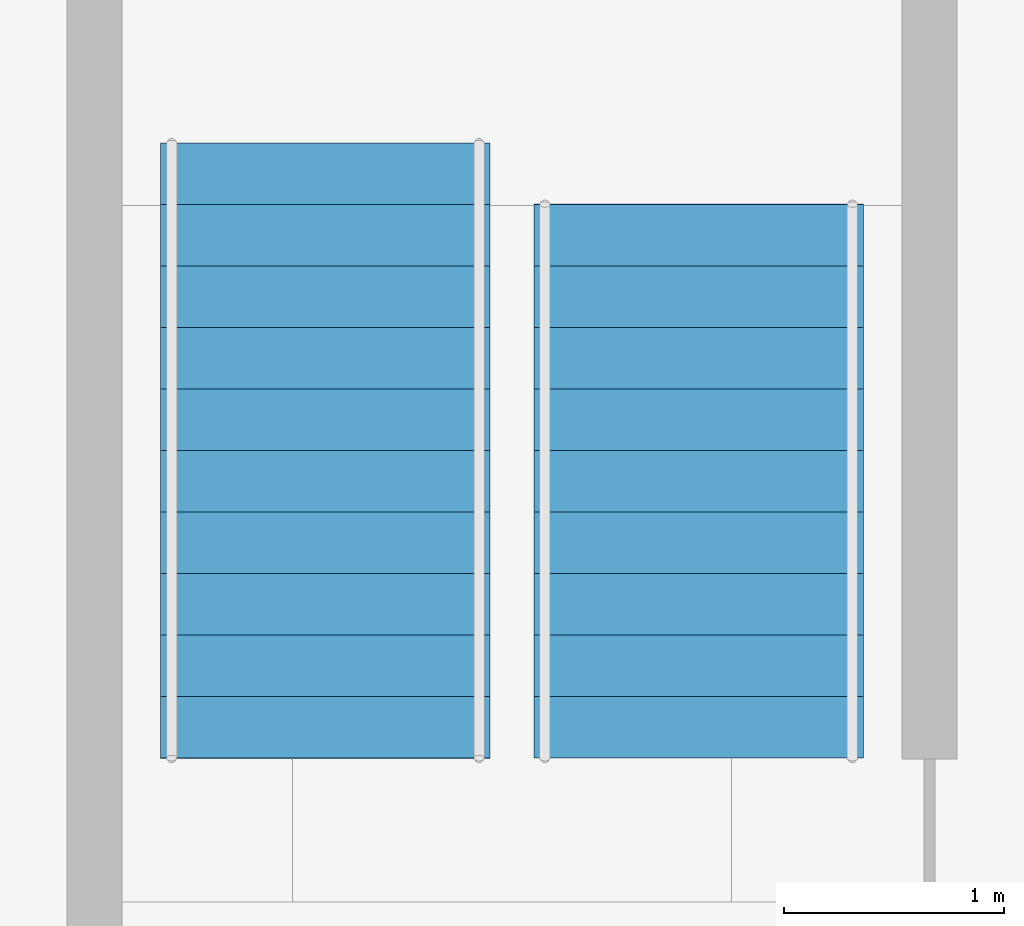
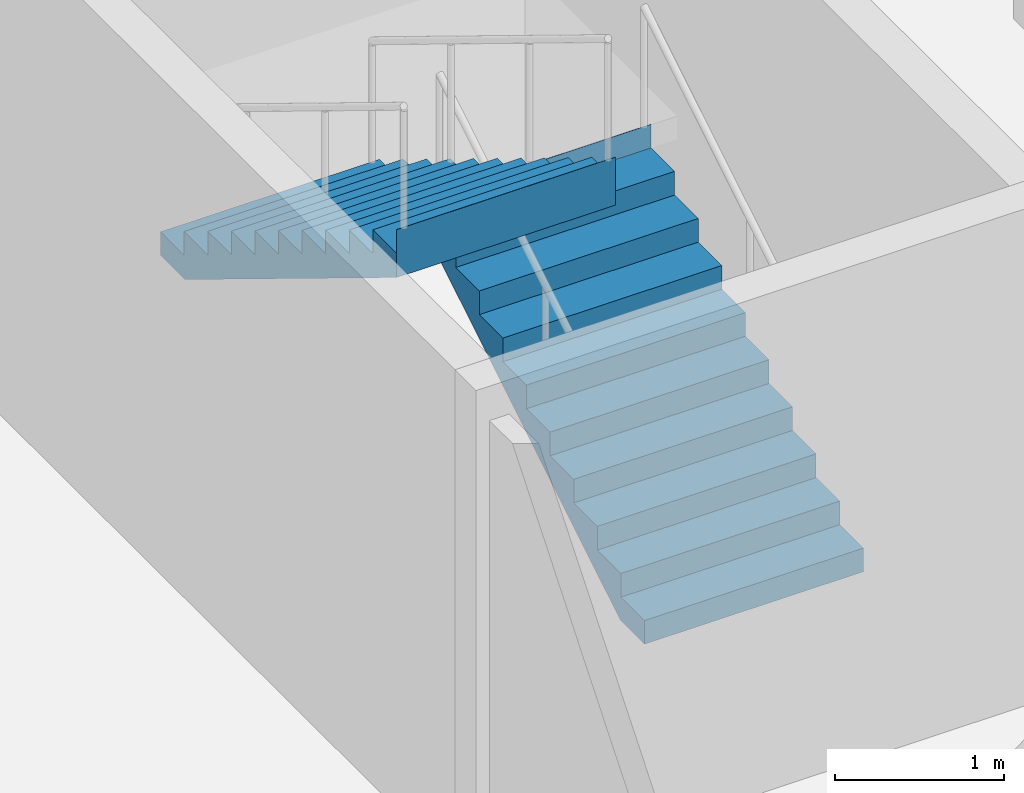
# One storey, part 107 of 148: 2 stair flights, 1 element without a shape of its own.
"""IFC4 building model written with IfcOpenShell, lengths in metres."""

from ifc_helpers import new_model, si_unit, direction, frame, origin, place, context, subcontext, project, spatial, polyline, outline, extrude, material, type_object, element, aggregate, save


model = new_model("IFC4")

# Units and contexts
model_context = context("Model", 3, precision=1e-05, world=origin(), true_north=direction((0.0, 1.0)))
body_context = subcontext(model_context, "Body", "Model", "MODEL_VIEW")
ifc_project = project(units=[si_unit("LENGTHUNIT", "METRE"), si_unit("AREAUNIT", "SQUARE_METRE"), si_unit("VOLUMEUNIT", "CUBIC_METRE"), si_unit("PLANEANGLEUNIT", "RADIAN"), si_unit("MASSUNIT", "GRAM", prefix="KILO")], contexts=[model_context])

# Site, building, storey
site_placement = place(None, origin())
site = spatial("IfcSite", under=ifc_project, at=site_placement, CompositionType="ELEMENT")
building_placement = place(site_placement, origin())
building = spatial("IfcBuilding", under=site, at=building_placement, Name="Kupolbacken Congress Centre", CompositionType="ELEMENT")
storey_placement = place(building_placement, origin())
storey = spatial("IfcBuildingStorey", under=building, at=storey_placement, Name="L00", CompositionType="ELEMENT", Elevation=0.0)

# Stair, stair flights
ifc_material_1 = material(Name="Steel S355", Category="steel")
stair_type = type_object("IfcStairType", Name="ST2 stair 1500", PredefinedType="TWO_STRAIGHT_RUN_STAIR", material=ifc_material_1)
stair_placement = place(storey_placement, origin())
stair = element("IfcStair", 1, at=stair_placement, inside=storey, type_object=stair_type, Name="C/stair/BS3/L00", PredefinedType="NOTDEFINED")
ifc_material_2 = material(Name="Steel S355", Category="steel")
stair_flight_type_1 = type_object("IfcStairFlightType", Name="FL3 stair flight 1500 x 10 risers", PredefinedType="STRAIGHT", material=ifc_material_2)
stair_flight_1_placement = place(storey_placement, frame((194.75, 126.955078125, 0.0), z_axis=(0.0, 0.0, 1.0), x_axis=(0.0, 1.0, 0.0)))
stair_flight_1 = element("IfcStairFlight", 2, at=stair_flight_1_placement, type_object=stair_flight_type_1, Name="BS3 flight 1", NumberOfRisers=10, NumberOfTreads=9, PredefinedType="STRAIGHT", RiserHeight=0.171428571, TreadLength=0.28, context=body_context, shape_type="SweptSolid", body=[
    extrude(outline(polyline([(0.0, 0.0), (0.0, 0.0009765625), (0.0, 0.002197265625), (0.0, 0.003173828125), (0.0, 0.004150390625), (0.0, 0.00537109375), (0.0, 0.00634765625), (0.0, 0.007568359375), (0.0, 0.008544921875), (0.0, 0.009521484375), (0.0, 0.0107421875), (0.0, 0.01171875), (0.0, 0.0126953125), (0.0, 0.013916015625), (0.0, 0.014892578125), (0.0, 0.015869140625), (0.0, 0.01708984375), (0.0, 0.01806640625), (0.0, 0.019287109375), (0.0, 0.020263671875), (0.0, 0.021240234375), (0.0, 0.0224609375), (0.0, 0.0234375), (0.0, 0.0244140625), (0.0, 0.025634765625), (0.0, 0.026611328125), (0.0, 0.027587890625), (0.0, 0.02880859375), (0.0, 0.02978515625), (0.0, 0.03076171875), (0.0, 0.031982421875), (0.0, 0.032958984375), (0.0, 0.0341796875), (0.0, 0.03515625), (0.0, 0.0361328125), (0.0, 0.037353515625), (0.0, 0.038330078125), (0.0, 0.039306640625), (0.0, 0.04052734375), (0.0, 0.04150390625), (0.0, 0.04248046875), (0.0, 0.043701171875), (0.0, 0.044677734375), (0.0, 0.0458984375), (0.0, 0.046875), (0.0, 0.0478515625), (0.0, 0.049072265625), (0.0, 0.050048828125), (0.0, 0.051025390625), (0.0, 0.05224609375), (0.0, 0.05322265625), (0.0, 0.05419921875), (0.0, 0.055419921875), (0.0, 0.056396484375), (0.0, 0.0576171875), (0.0, 0.05859375), (0.0, 0.0595703125), (0.0, 0.060791015625), (0.0, 0.061767578125), (0.0, 0.062744140625), (0.0, 0.06396484375), (0.0, 0.06494140625), (0.0, 0.06591796875), (0.0, 0.067138671875), (0.0, 0.068115234375), (0.0, 0.069091796875), (0.0, 0.0703125), (0.0, 0.0712890625), (0.0, 0.072509765625), (0.0, 0.073486328125), (0.0, 0.074462890625), (0.0, 0.07568359375), (0.0, 0.07666015625), (0.0, 0.07763671875), (0.0, 0.078857421875), (0.0, 0.079833984375), (0.0, 0.080810546875), (0.0, 0.08203125), (0.0, 0.0830078125), (0.0, 0.084228515625), (0.0, 0.085205078125), (0.0, 0.086181640625), (0.0, 0.08740234375), (0.0, 0.08837890625), (0.0, 0.08935546875), (0.0, 0.090576171875), (0.0, 0.091552734375), (0.0, 0.092529296875), (0.0, 0.09375), (0.0, 0.0947265625), (0.0, 0.095947265625), (0.0, 0.096923828125), (0.0, 0.097900390625), (0.0, 0.09912109375), (0.0, 0.10009765625), (0.0, 0.10107421875), (0.0, 0.102294921875), (0.0, 0.103271484375), (0.0, 0.104248046875), (0.0, 0.10546875), (0.0, 0.1064453125), (0.0, 0.107421875), (0.0, 0.108642578125), (0.0, 0.109619140625), (0.0, 0.11083984375), (0.0, 0.11181640625), (0.0, 0.11279296875), (0.0, 0.114013671875), (0.0, 0.114990234375), (0.0, 0.115966796875), (0.0, 0.1171875), (0.0, 0.1181640625), (0.0, 0.119140625), (0.0, 0.120361328125), (0.0, 0.121337890625), (0.0, 0.12255859375), (0.0, 0.12353515625), (0.0, 0.12451171875), (0.0, 0.125732421875), (0.0, 0.126708984375), (0.0, 0.127685546875), (0.0, 0.12890625), (0.0, 0.1298828125), (0.0, 0.130859375), (0.0, 0.132080078125), (0.0, 0.133056640625), (0.0, 0.13427734375), (0.0, 0.13525390625), (0.0, 0.13623046875), (0.0, 0.137451171875), (0.0, 0.138427734375), (0.0, 0.139404296875), (0.0, 0.140625), (0.0, 0.1416015625), (0.0, 0.142578125), (0.0, 0.143798828125), (0.0, 0.144775390625), (0.0, 0.145751953125), (0.0, 0.14697265625), (0.0, 0.14794921875), (0.0, 0.149169921875), (0.0, 0.150146484375), (0.0, 0.151123046875), (0.0, 0.15234375), (0.0, 0.1533203125), (0.0, 0.154296875), (0.0, 0.155517578125), (0.0, 0.156494140625), (0.0, 0.157470703125), (0.0, 0.15869140625), (0.0, 0.15966796875), (0.0, 0.160888671875), (0.0, 0.161865234375), (0.0, 0.162841796875), (0.0, 0.1640625), (0.0, 0.1650390625), (0.0, 0.166015625), (0.0, 0.167236328125), (0.0, 0.168212890625), (0.0, 0.169189453125), (0.0, 0.17041015625), (0.0, 0.17138671875), (0.280029296875, 0.17138671875), (0.280029296875, 0.3427734375), (0.56005859375, 0.3427734375), (0.56005859375, 0.514404296875), (0.840087890625, 0.514404296875), (0.840087890625, 0.685791015625), (1.1201171875, 0.685791015625), (1.1201171875, 0.857177734375), (1.39990234375, 0.857177734375), (1.39990234375, 1.028564453125), (1.679931640625, 1.028564453125), (1.679931640625, 1.199951171875), (1.9599609375, 1.199951171875), (1.9599609375, 1.371337890625), (2.239990234375, 1.371337890625), (2.239990234375, 1.54296875), (2.52001953125, 1.54296875), (2.52001953125, 1.71435546875), (2.52197265625, 1.71435546875), (2.52197265625, 1.712158203125), (2.52197265625, 1.7099609375), (2.52197265625, 1.707763671875), (2.52197265625, 1.70556640625), (2.52197265625, 1.70361328125), (2.52197265625, 1.701416015625), (2.52197265625, 1.69921875), (2.52197265625, 1.697021484375), (2.52197265625, 1.69482421875), (2.52197265625, 1.692626953125), (2.52197265625, 1.690673828125), (2.52197265625, 1.6884765625), (2.52197265625, 1.686279296875), (2.52197265625, 1.68408203125), (2.52197265625, 1.681884765625), (2.52197265625, 1.6796875), (2.52197265625, 1.677734375), (2.52197265625, 1.675537109375), (2.52197265625, 1.67333984375), (2.52197265625, 1.671142578125), (2.52197265625, 1.6689453125), (2.52197265625, 1.666748046875), (2.52197265625, 1.664794921875), (2.52197265625, 1.66259765625), (2.52197265625, 1.660400390625), (2.52197265625, 1.658203125), (2.52197265625, 1.656005859375), (2.52197265625, 1.65380859375), (2.52197265625, 1.65185546875), (2.52197265625, 1.649658203125), (2.52197265625, 1.6474609375), (2.52197265625, 1.645263671875), (2.52197265625, 1.64306640625), (2.52197265625, 1.640869140625), (2.52197265625, 1.638916015625), (2.52197265625, 1.63671875), (2.52197265625, 1.634521484375), (2.52197265625, 1.63232421875), (2.52197265625, 1.630126953125), (2.52197265625, 1.6279296875), (2.52197265625, 1.6259765625), (2.52197265625, 1.623779296875), (2.52197265625, 1.62158203125), (2.52197265625, 1.619384765625), (2.52197265625, 1.6171875), (2.52197265625, 1.614990234375), (2.52197265625, 1.613037109375), (2.52197265625, 1.61083984375), (2.52197265625, 1.608642578125), (2.52197265625, 1.6064453125), (2.52197265625, 1.604248046875), (2.52197265625, 1.60205078125), (2.52197265625, 1.60009765625), (2.52197265625, 1.597900390625), (2.52197265625, 1.595703125), (2.52197265625, 1.593505859375), (2.52197265625, 1.59130859375), (2.52197265625, 1.589111328125), (2.52197265625, 1.587158203125), (2.52197265625, 1.5849609375), (2.52197265625, 1.582763671875), (2.52197265625, 1.58056640625), (2.52197265625, 1.578369140625), (2.52197265625, 1.576171875), (2.52197265625, 1.57421875), (2.52197265625, 1.572021484375), (2.52197265625, 1.56982421875), (2.52197265625, 1.567626953125), (2.52197265625, 1.5654296875), (2.52197265625, 1.563232421875), (2.52197265625, 1.561279296875), (2.52197265625, 1.55908203125), (2.52197265625, 1.556884765625), (2.52197265625, 1.5546875), (2.52197265625, 1.552490234375), (2.52197265625, 1.55029296875), (2.52197265625, 1.54833984375), (2.52197265625, 1.546142578125), (2.52197265625, 1.5439453125), (2.52197265625, 1.541748046875), (2.52197265625, 1.53955078125), (2.52197265625, 1.537353515625), (2.52197265625, 1.535400390625), (2.52197265625, 1.533203125), (2.52197265625, 1.531005859375), (2.52197265625, 1.52880859375), (2.52197265625, 1.526611328125), (2.52197265625, 1.5244140625), (2.52197265625, 1.5224609375), (2.52197265625, 1.520263671875), (2.52197265625, 1.51806640625), (2.52197265625, 1.515869140625), (2.52197265625, 1.513671875), (2.52197265625, 1.511474609375), (2.52197265625, 1.509521484375), (2.52197265625, 1.50732421875), (2.52197265625, 1.505126953125), (2.52197265625, 1.5029296875), (2.52197265625, 1.500732421875), (2.52197265625, 1.49853515625), (2.52197265625, 1.49658203125), (2.52197265625, 1.494384765625), (2.52197265625, 1.4921875), (2.52197265625, 1.489990234375), (2.52197265625, 1.48779296875), (2.52197265625, 1.485595703125), (2.52197265625, 1.483642578125), (2.52197265625, 1.4814453125), (2.52197265625, 1.479248046875), (2.52197265625, 1.47705078125), (2.52197265625, 1.474853515625), (2.52197265625, 1.47265625), (2.52197265625, 1.470703125), (2.52197265625, 1.468505859375), (2.52197265625, 1.46630859375), (2.52197265625, 1.464111328125), (2.52197265625, 1.4619140625), (2.52197265625, 1.459716796875), (2.52197265625, 1.457763671875), (2.52197265625, 1.45556640625), (2.52197265625, 1.453369140625), (2.52197265625, 1.451171875), (2.52197265625, 1.448974609375), (2.52197265625, 1.44677734375), (2.52197265625, 1.44482421875), (2.52197265625, 1.442626953125), (2.52197265625, 1.4404296875), (2.52197265625, 1.438232421875), (2.52197265625, 1.43603515625), (2.52197265625, 1.433837890625), (2.52197265625, 1.431884765625), (2.52197265625, 1.4296875), (2.52197265625, 1.427490234375), (2.52197265625, 1.42529296875), (2.52197265625, 1.423095703125), (2.52197265625, 1.4208984375), (2.52197265625, 1.4189453125), (2.52197265625, 1.416748046875), (2.52197265625, 1.41455078125), (2.52197265625, 1.412353515625), (2.52197265625, 1.41015625), (2.52197265625, 1.407958984375), (2.52197265625, 1.406005859375), (2.52197265625, 1.40380859375), (2.52197265625, 1.401611328125), (2.52197265625, 1.3994140625), (2.52197265625, 1.397216796875), (2.52197265625, 1.39501953125), (2.52197265625, 1.39306640625), (2.52197265625, 1.390869140625), (2.52197265625, 1.388671875), (2.52197265625, 1.386474609375), (2.52197265625, 1.38427734375), (2.52197265625, 1.382080078125), (2.52197265625, 1.380126953125), (2.52197265625, 1.3779296875), (2.52197265625, 1.375732421875), (2.52197265625, 1.37353515625), (2.52197265625, 1.371337890625), (2.52197265625, 1.369140625), (2.52197265625, 1.3671875), (0.2890625, 0.0), (0.0, 0.0)])), frame((0.0, 0.75, 0.0), z_axis=(0.0, -1.0, 0.0), x_axis=(1.0, 0.0, 0.0)), (0.0, 0.0, 1.0), 1.5),
])
ifc_material_3 = material(Name="Steel S355", Category="steel")
stair_flight_type_2 = type_object("IfcStairFlightType", Name="FL4 stair flight 1500 x 11 risers", PredefinedType="STRAIGHT", material=ifc_material_3)
stair_flight_2_placement = place(storey_placement, frame((193.050048828125, 129.7548828125, 1.71435546875), z_axis=(0.0, 0.0, 1.0), x_axis=(0.0, -1.0, 0.0)))
stair_flight_2 = element("IfcStairFlight", 3, at=stair_flight_2_placement, type_object=stair_flight_type_2, Name="BS3 flight 2", NumberOfRisers=11, NumberOfTreads=10, PredefinedType="STRAIGHT", RiserHeight=0.171428571, TreadLength=0.28, context=body_context, shape_type="SweptSolid", body=[
    extrude(outline(polyline([(0.0, 0.0), (0.0, 0.0009765625), (0.0, 0.002197265625), (0.0, 0.003173828125), (0.0, 0.004150390625), (0.0, 0.00537109375), (0.0, 0.00634765625), (0.0, 0.007568359375), (0.0, 0.008544921875), (0.0, 0.009521484375), (0.0, 0.0107421875), (0.0, 0.01171875), (0.0, 0.0126953125), (0.0, 0.013916015625), (0.0, 0.014892578125), (0.0, 0.015869140625), (0.0, 0.01708984375), (0.0, 0.01806640625), (0.0, 0.019287109375), (0.0, 0.020263671875), (0.0, 0.021240234375), (0.0, 0.0224609375), (0.0, 0.0234375), (0.0, 0.0244140625), (0.0, 0.025634765625), (0.0, 0.026611328125), (0.0, 0.027587890625), (0.0, 0.02880859375), (0.0, 0.02978515625), (0.0, 0.03076171875), (0.0, 0.031982421875), (0.0, 0.032958984375), (0.0, 0.0341796875), (0.0, 0.03515625), (0.0, 0.0361328125), (0.0, 0.037353515625), (0.0, 0.038330078125), (0.0, 0.039306640625), (0.0, 0.04052734375), (0.0, 0.04150390625), (0.0, 0.04248046875), (0.0, 0.043701171875), (0.0, 0.044677734375), (0.0, 0.0458984375), (0.0, 0.046875), (0.0, 0.0478515625), (0.0, 0.049072265625), (0.0, 0.050048828125), (0.0, 0.051025390625), (0.0, 0.05224609375), (0.0, 0.05322265625), (0.0, 0.05419921875), (0.0, 0.055419921875), (0.0, 0.056396484375), (0.0, 0.0576171875), (0.0, 0.05859375), (0.0, 0.0595703125), (0.0, 0.060791015625), (0.0, 0.061767578125), (0.0, 0.062744140625), (0.0, 0.06396484375), (0.0, 0.06494140625), (0.0, 0.06591796875), (0.0, 0.067138671875), (0.0, 0.068115234375), (0.0, 0.069091796875), (0.0, 0.0703125), (0.0, 0.0712890625), (0.0, 0.072509765625), (0.0, 0.073486328125), (0.0, 0.074462890625), (0.0, 0.07568359375), (0.0, 0.07666015625), (0.0, 0.07763671875), (0.0, 0.078857421875), (0.0, 0.079833984375), (0.0, 0.080810546875), (0.0, 0.08203125), (0.0, 0.0830078125), (0.0, 0.084228515625), (0.0, 0.085205078125), (0.0, 0.086181640625), (0.0, 0.08740234375), (0.0, 0.08837890625), (0.0, 0.08935546875), (0.0, 0.090576171875), (0.0, 0.091552734375), (0.0, 0.092529296875), (0.0, 0.09375), (0.0, 0.0947265625), (0.0, 0.095947265625), (0.0, 0.096923828125), (0.0, 0.097900390625), (0.0, 0.09912109375), (0.0, 0.10009765625), (0.0, 0.10107421875), (0.0, 0.102294921875), (0.0, 0.103271484375), (0.0, 0.104248046875), (0.0, 0.10546875), (0.0, 0.1064453125), (0.0, 0.107421875), (0.0, 0.108642578125), (0.0, 0.109619140625), (0.0, 0.11083984375), (0.0, 0.11181640625), (0.0, 0.11279296875), (0.0, 0.114013671875), (0.0, 0.114990234375), (0.0, 0.115966796875), (0.0, 0.1171875), (0.0, 0.1181640625), (0.0, 0.119140625), (0.0, 0.120361328125), (0.0, 0.121337890625), (0.0, 0.12255859375), (0.0, 0.12353515625), (0.0, 0.12451171875), (0.0, 0.125732421875), (0.0, 0.126708984375), (0.0, 0.127685546875), (0.0, 0.12890625), (0.0, 0.1298828125), (0.0, 0.130859375), (0.0, 0.132080078125), (0.0, 0.133056640625), (0.0, 0.13427734375), (0.0, 0.13525390625), (0.0, 0.13623046875), (0.0, 0.137451171875), (0.0, 0.138427734375), (0.0, 0.139404296875), (0.0, 0.140625), (0.0, 0.1416015625), (0.0, 0.142578125), (0.0, 0.143798828125), (0.0, 0.144775390625), (0.0, 0.145751953125), (0.0, 0.14697265625), (0.0, 0.14794921875), (0.0, 0.149169921875), (0.0, 0.150146484375), (0.0, 0.151123046875), (0.0, 0.15234375), (0.0, 0.1533203125), (0.0, 0.154296875), (0.0, 0.155517578125), (0.0, 0.156494140625), (0.0, 0.157470703125), (0.0, 0.15869140625), (0.0, 0.15966796875), (0.0, 0.160888671875), (0.0, 0.161865234375), (0.0, 0.162841796875), (0.0, 0.1640625), (0.0, 0.1650390625), (0.0, 0.166015625), (0.0, 0.167236328125), (0.0, 0.168212890625), (0.0, 0.169189453125), (0.0, 0.17041015625), (0.0, 0.17138671875), (0.280029296875, 0.17138671875), (0.280029296875, 0.3427734375), (0.56005859375, 0.3427734375), (0.56005859375, 0.514404296875), (0.840087890625, 0.514404296875), (0.840087890625, 0.685791015625), (1.1201171875, 0.685791015625), (1.1201171875, 0.857177734375), (1.39990234375, 0.857177734375), (1.39990234375, 1.028564453125), (1.679931640625, 1.028564453125), (1.679931640625, 1.199951171875), (1.9599609375, 1.199951171875), (1.9599609375, 1.371337890625), (2.239990234375, 1.371337890625), (2.239990234375, 1.54296875), (2.52001953125, 1.54296875), (2.52001953125, 1.71435546875), (2.800048828125, 1.71435546875), (2.800048828125, 1.8857421875), (2.802001953125, 1.8857421875), (2.802001953125, 1.883544921875), (2.802001953125, 1.88134765625), (2.802001953125, 1.879150390625), (2.802001953125, 1.877197265625), (2.802001953125, 1.875), (2.802001953125, 1.872802734375), (2.802001953125, 1.87060546875), (2.802001953125, 1.868408203125), (2.802001953125, 1.8662109375), (2.802001953125, 1.8642578125), (2.802001953125, 1.862060546875), (2.802001953125, 1.85986328125), (2.802001953125, 1.857666015625), (2.802001953125, 1.85546875), (2.802001953125, 1.853271484375), (2.802001953125, 1.851318359375), (2.802001953125, 1.84912109375), (2.802001953125, 1.846923828125), (2.802001953125, 1.8447265625), (2.802001953125, 1.842529296875), (2.802001953125, 1.84033203125), (2.802001953125, 1.83837890625), (2.802001953125, 1.836181640625), (2.802001953125, 1.833984375), (2.802001953125, 1.831787109375), (2.802001953125, 1.82958984375), (2.802001953125, 1.827392578125), (2.802001953125, 1.825439453125), (2.802001953125, 1.8232421875), (2.802001953125, 1.821044921875), (2.802001953125, 1.81884765625), (2.802001953125, 1.816650390625), (2.802001953125, 1.814453125), (2.802001953125, 1.8125), (2.802001953125, 1.810302734375), (2.802001953125, 1.80810546875), (2.802001953125, 1.805908203125), (2.802001953125, 1.8037109375), (2.802001953125, 1.801513671875), (2.802001953125, 1.799560546875), (2.802001953125, 1.79736328125), (2.802001953125, 1.795166015625), (2.802001953125, 1.79296875), (2.802001953125, 1.790771484375), (2.802001953125, 1.78857421875), (2.802001953125, 1.78662109375), (2.802001953125, 1.784423828125), (2.802001953125, 1.7822265625), (2.802001953125, 1.780029296875), (2.802001953125, 1.77783203125), (2.802001953125, 1.775634765625), (2.802001953125, 1.773681640625), (2.802001953125, 1.771484375), (2.802001953125, 1.769287109375), (2.802001953125, 1.76708984375), (2.802001953125, 1.764892578125), (2.802001953125, 1.7626953125), (2.802001953125, 1.7607421875), (2.802001953125, 1.758544921875), (2.802001953125, 1.75634765625), (2.802001953125, 1.754150390625), (2.802001953125, 1.751953125), (2.802001953125, 1.749755859375), (2.802001953125, 1.747802734375), (2.802001953125, 1.74560546875), (2.802001953125, 1.743408203125), (2.802001953125, 1.7412109375), (2.802001953125, 1.739013671875), (2.802001953125, 1.73681640625), (2.802001953125, 1.73486328125), (2.802001953125, 1.732666015625), (2.802001953125, 1.73046875), (2.802001953125, 1.728271484375), (2.802001953125, 1.72607421875), (2.802001953125, 1.723876953125), (2.802001953125, 1.721923828125), (2.802001953125, 1.7197265625), (2.802001953125, 1.717529296875), (2.802001953125, 1.71533203125), (2.802001953125, 1.713134765625), (2.802001953125, 1.7109375), (2.802001953125, 1.708984375), (2.802001953125, 1.706787109375), (2.802001953125, 1.70458984375), (2.802001953125, 1.702392578125), (2.802001953125, 1.7001953125), (2.802001953125, 1.697998046875), (2.802001953125, 1.696044921875), (2.802001953125, 1.69384765625), (2.802001953125, 1.691650390625), (2.802001953125, 1.689453125), (2.802001953125, 1.687255859375), (2.802001953125, 1.68505859375), (2.802001953125, 1.68310546875), (2.802001953125, 1.680908203125), (2.802001953125, 1.6787109375), (2.802001953125, 1.676513671875), (2.802001953125, 1.67431640625), (2.802001953125, 1.672119140625), (2.802001953125, 1.670166015625), (2.802001953125, 1.66796875), (2.802001953125, 1.665771484375), (2.802001953125, 1.66357421875), (2.802001953125, 1.661376953125), (2.802001953125, 1.6591796875), (2.802001953125, 1.6572265625), (2.802001953125, 1.655029296875), (2.802001953125, 1.65283203125), (2.802001953125, 1.650634765625), (2.802001953125, 1.6484375), (2.802001953125, 1.646240234375), (2.802001953125, 1.644287109375), (2.802001953125, 1.64208984375), (2.802001953125, 1.639892578125), (2.802001953125, 1.6376953125), (2.802001953125, 1.635498046875), (2.802001953125, 1.63330078125), (2.802001953125, 1.63134765625), (2.802001953125, 1.629150390625), (2.802001953125, 1.626953125), (2.802001953125, 1.624755859375), (2.802001953125, 1.62255859375), (2.802001953125, 1.620361328125), (2.802001953125, 1.618408203125), (2.802001953125, 1.6162109375), (2.802001953125, 1.614013671875), (2.802001953125, 1.61181640625), (2.802001953125, 1.609619140625), (2.802001953125, 1.607421875), (2.802001953125, 1.60546875), (2.802001953125, 1.603271484375), (2.802001953125, 1.60107421875), (2.802001953125, 1.598876953125), (2.802001953125, 1.5966796875), (2.802001953125, 1.594482421875), (2.802001953125, 1.592529296875), (2.802001953125, 1.59033203125), (2.802001953125, 1.588134765625), (2.802001953125, 1.5859375), (2.802001953125, 1.583740234375), (2.802001953125, 1.58154296875), (2.802001953125, 1.57958984375), (2.802001953125, 1.577392578125), (2.802001953125, 1.5751953125), (2.802001953125, 1.572998046875), (2.802001953125, 1.57080078125), (2.802001953125, 1.568603515625), (2.802001953125, 1.566650390625), (2.802001953125, 1.564453125), (2.802001953125, 1.562255859375), (2.802001953125, 1.56005859375), (2.802001953125, 1.557861328125), (2.802001953125, 1.5556640625), (2.802001953125, 1.5537109375), (2.802001953125, 1.551513671875), (2.802001953125, 1.54931640625), (2.802001953125, 1.547119140625), (2.802001953125, 1.544921875), (2.802001953125, 1.542724609375), (2.802001953125, 1.540771484375), (2.802001953125, 1.53857421875), (0.2890625, 0.0), (0.0, 0.0)])), frame((0.0, 0.75, 0.0), z_axis=(0.0, -1.0, 0.0), x_axis=(1.0, 0.0, 0.0)), (0.0, 0.0, 1.0), 1.5),
])
aggregate(stair, [stair_flight_1, stair_flight_2])

save(model, "model.ifc")
